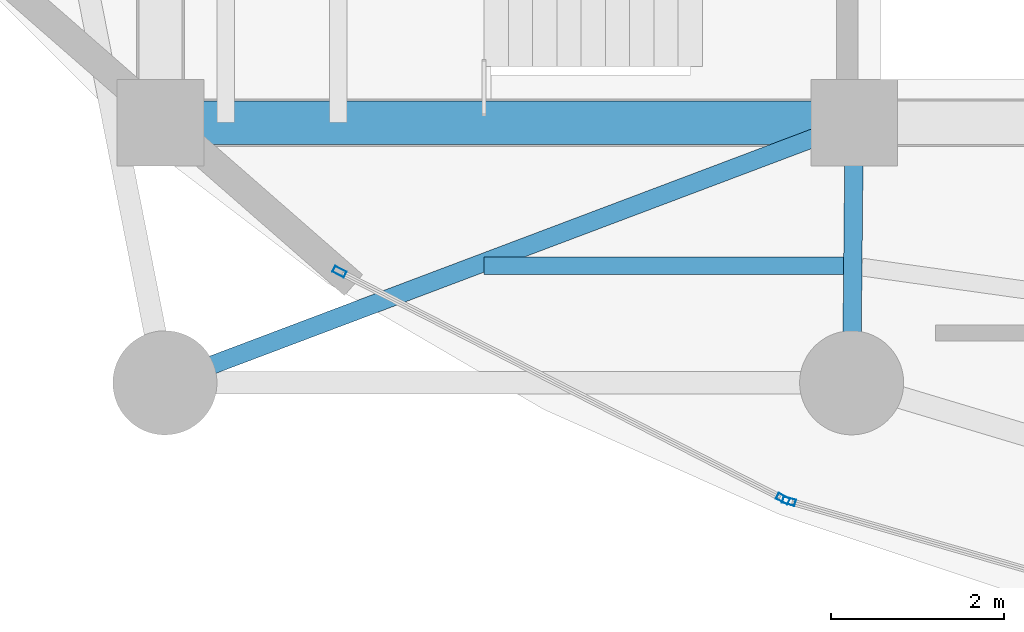
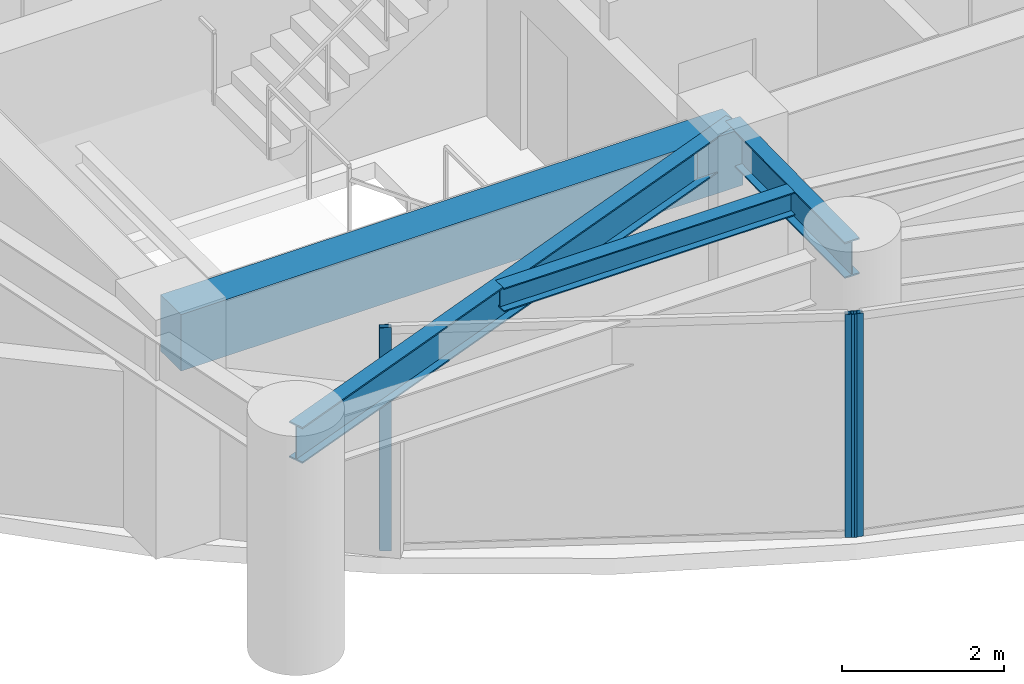
# One storey, part 2 of 28: 4 beams, 3 members, 2 elements without a shape of their own.
"""IFC4 building model written with IfcOpenShell, lengths in metres."""

from ifc_helpers import new_model, si_unit, direction, frame, origin, origin_2d, place, context, subcontext, project, spatial, rectangle, hollow_rectangle, i_section, extrude, material, layer, layer_set, material_profile, profile_set, type_object, element, aggregate, save


model = new_model("IFC4")

# Units and contexts
model_context = context("Model", 3, precision=1e-05, world=origin(), true_north=direction((0.0, 1.0)))
body_context = subcontext(model_context, "Body", "Model", "MODEL_VIEW")
ifc_project = project(units=[si_unit("LENGTHUNIT", "METRE"), si_unit("AREAUNIT", "SQUARE_METRE"), si_unit("VOLUMEUNIT", "CUBIC_METRE"), si_unit("PLANEANGLEUNIT", "RADIAN"), si_unit("MASSUNIT", "GRAM", prefix="KILO")], contexts=[model_context])

# Site, building, storey
site_placement = place(None, origin())
site = spatial("IfcSite", under=ifc_project, at=site_placement, CompositionType="ELEMENT")
building_placement = place(site_placement, origin())
building = spatial("IfcBuilding", under=site, at=building_placement, Name="Kazevale Care Tower and Concert Hall", CompositionType="ELEMENT")
storey_placement = place(building_placement, frame((0.0, 0.0, 138.60009765625)))
storey = spatial("IfcBuildingStorey", under=building, at=storey_placement, Name="L36", CompositionType="ELEMENT", Elevation=138.60009765625)

# Curtain wall, member
ifc_material_1 = material(Name="Aluminium 6063-T6 and Low-E Glass", Category="aluminium")
ifc_layer = layer(ifc_material_1, 0.179931640625)
ifc_layer_set = layer_set([ifc_layer], Name="Aluminium 6063-T6 and Low-E Glass")
curtain_wall_type = type_object("IfcCurtainWallType", Name="Sheltered Concave Balcony Curtain Wall CW-5", PredefinedType="NOTDEFINED", material=ifc_layer_set)
curtain_wall_1_placement = place(storey_placement, origin())
curtain_wall_1 = element("IfcCurtainWall", 1, at=curtain_wall_1_placement, inside=storey, type_object=curtain_wall_type, Name="cw:L36:f08", PredefinedType="NOTDEFINED")
ifc_material_2 = material(Name="Aluminium 6063-T6", Category="aluminium")
ifc_material_profile_1 = material_profile(ifc_material_2, hollow_rectangle(XDim=0.074951171875, YDim=0.14990234375, WallThickness=0.00390625, at=origin_2d()), Name="ALU75x150x4")
ifc_profile_set_1 = profile_set([ifc_material_profile_1], Name="Aluminium 6063-T6")
member_type = type_object("IfcMemberType", Name="CW-5 Mullion ALU75x150x4", PredefinedType="MULLION", material=ifc_profile_set_1)
member_1_placement = place(storey_placement, frame((29.2470703125, 19.234619140625, 0.0), z_axis=(0.0, 0.0, 1.0), x_axis=(-0.276290733172, -0.961074102639, 0.0)))
member_1 = element("IfcMember", 2, at=member_1_placement, type_object=member_type, Name="CW-5 mullion 2", PredefinedType="MULLION", context=body_context, shape_type="SweptSolid", body=[
    extrude(hollow_rectangle(XDim=0.074951171875, YDim=0.14990234375, WallThickness=0.00390625, at=origin_2d()), origin(), (0.0, 0.0, 1.0), 3.35986328125),
])
aggregate(curtain_wall_1, [member_1])

# Curtain wall, members
curtain_wall_2_placement = place(storey_placement, origin())
curtain_wall_2 = element("IfcCurtainWall", 3, at=curtain_wall_2_placement, inside=storey, type_object=curtain_wall_type, Name="cw:L36:f09", PredefinedType="NOTDEFINED")
member_2_placement = place(storey_placement, frame((29.177734375, 19.26220703125, 0.0), z_axis=(0.0, 0.0, 1.0), x_axis=(-0.455713236575, -0.890126646051, 0.0)))
member_2 = element("IfcMember", 4, at=member_2_placement, type_object=member_type, Name="CW-5 mullion 1", PredefinedType="MULLION", context=body_context, shape_type="SweptSolid", body=[
    extrude(hollow_rectangle(XDim=0.074951171875, YDim=0.14990234375, WallThickness=0.00390625, at=origin_2d()), origin(), (0.0, 0.0, 1.0), 3.35986328125),
])
member_3_placement = place(storey_placement, frame((24.0625, 21.880859375, 0.0), z_axis=(0.0, 0.0, 1.0), x_axis=(-0.455713236575, -0.890126646051, 0.0)))
member_3 = element("IfcMember", 5, at=member_3_placement, type_object=member_type, Name="CW-5 mullion 2", PredefinedType="MULLION", context=body_context, shape_type="SweptSolid", body=[
    extrude(hollow_rectangle(XDim=0.074951171875, YDim=0.14990234375, WallThickness=0.00390625, at=origin_2d()), origin(), (0.0, 0.0, 1.0), 3.35986328125),
])
aggregate(curtain_wall_2, [member_2, member_3])

# Beams
ifc_material_3 = material(Name="Concrete C60", Category="concrete")
ifc_material_profile_2 = material_profile(ifc_material_3, rectangle(XDim=0.5, YDim=0.85009765625, at=origin_2d()), Name="RC-B500x850")
ifc_profile_set_2 = profile_set([ifc_material_profile_2], Name="Concrete C60")
beam_type_1 = type_object("IfcBeamType", Name="Core Coupling Beam RC500x850", PredefinedType="LINTEL", material=ifc_profile_set_2)
beam_1_placement = place(storey_placement, frame((22.0, 23.60009765625, 2.934814453125), z_axis=(1.0, 0.0, 0.0), x_axis=(0.0, 1.0, 0.0)))
element("IfcBeam", 6, at=beam_1_placement, inside=storey, type_object=beam_type_1, Name="beam:L36:coretie:1", PredefinedType="LINTEL", context=body_context, shape_type="SweptSolid", body=[
    extrude(rectangle(XDim=0.5, YDim=0.85009765625, at=origin_2d()), origin(), (0.0, 0.0, 1.0), 8.0),
])
ifc_material_4 = material(Name="Steel ASTM A572 Gr 50", Category="steel")
ifc_material_profile_3 = material_profile(ifc_material_4, i_section(OverallWidth=0.2119140625, OverallDepth=0.5439453125, WebThickness=0.01318359375, FlangeThickness=0.021240234375, at=origin_2d()), Name="W530x123")
ifc_profile_set_3 = profile_set([ifc_material_profile_3], Name="Steel ASTM A572 Gr 50")
beam_type_2 = type_object("IfcBeamType", Name="Radial Floor Girder W530x123", PredefinedType="BEAM", material=ifc_profile_set_3)
beam_2_placement = place(storey_placement, frame((30.0, 23.60009765625, 3.087890625), z_axis=(-0.935601002663, -0.353059150592, 0.0), x_axis=(0.353059150592, -0.935601002663, 0.0)))
element("IfcBeam", 7, at=beam_2_placement, inside=storey, type_object=beam_type_2, Name="beam:L36:rad:10", PredefinedType="BEAM", context=body_context, shape_type="SweptSolid", body=[
    extrude(i_section(OverallWidth=0.2119140625, OverallDepth=0.5439453125, WebThickness=0.01318359375, FlangeThickness=0.021240234375, at=origin_2d()), origin(), (0.0, 0.0, 1.0), 8.4970703125),
])
beam_3_placement = place(storey_placement, frame((30.0, 23.60009765625, 3.087890625), z_axis=(-0.010009264196, -0.99994990606, 0.0), x_axis=(0.99994990606, -0.010009264196, 0.0)))
element("IfcBeam", 8, at=beam_3_placement, inside=storey, type_object=beam_type_2, Name="beam:L36:rad:11", PredefinedType="BEAM", context=body_context, shape_type="SweptSolid", body=[
    extrude(i_section(OverallWidth=0.2119140625, OverallDepth=0.5439453125, WebThickness=0.01318359375, FlangeThickness=0.021240234375, at=origin_2d()), origin(), (0.0, 0.0, 1.0), 3.000244140625),
])
ifc_material_profile_4 = material_profile(ifc_material_4, i_section(OverallWidth=0.205078125, OverallDepth=0.35400390625, WebThickness=0.009521484375, FlangeThickness=0.016845703125, at=origin_2d()), Name="W360x79")
ifc_profile_set_4 = profile_set([ifc_material_profile_4], Name="Steel ASTM A572 Gr 50")
beam_type_3 = type_object("IfcBeamType", Name="Secondary Floor Joist W360x79", PredefinedType="JOIST", material=ifc_profile_set_4)
beam_4_placement = place(storey_placement, frame((25.73291015625, 21.949951171875, 3.182861328125), z_axis=(1.0, 0.0, 0.0), x_axis=(0.0, 1.0, 0.0)))
element("IfcBeam", 9, at=beam_4_placement, inside=storey, type_object=beam_type_3, Name="beam:L36:joist:10", PredefinedType="JOIST", context=body_context, shape_type="SweptSolid", body=[
    extrude(i_section(OverallWidth=0.205078125, OverallDepth=0.35400390625, WebThickness=0.009521484375, FlangeThickness=0.016845703125, at=origin_2d()), origin(), (0.0, 0.0, 1.0), 4.14501953125),
])

save(model, "model.ifc")
